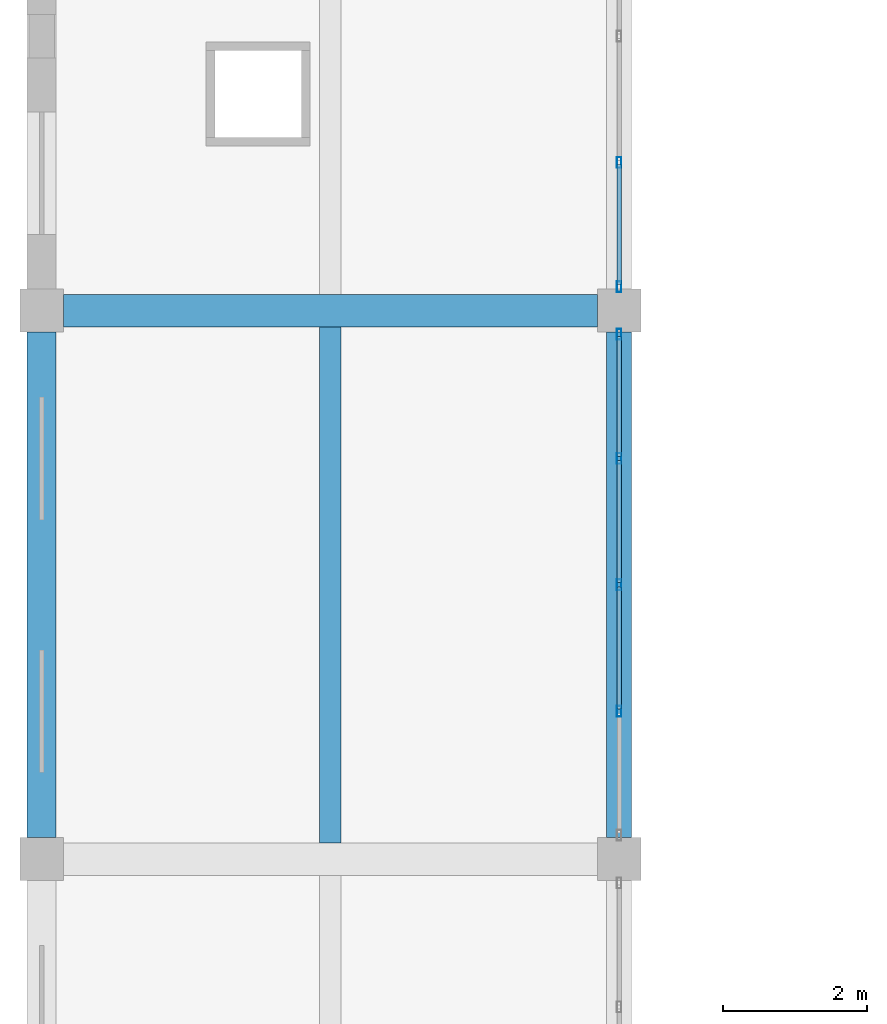
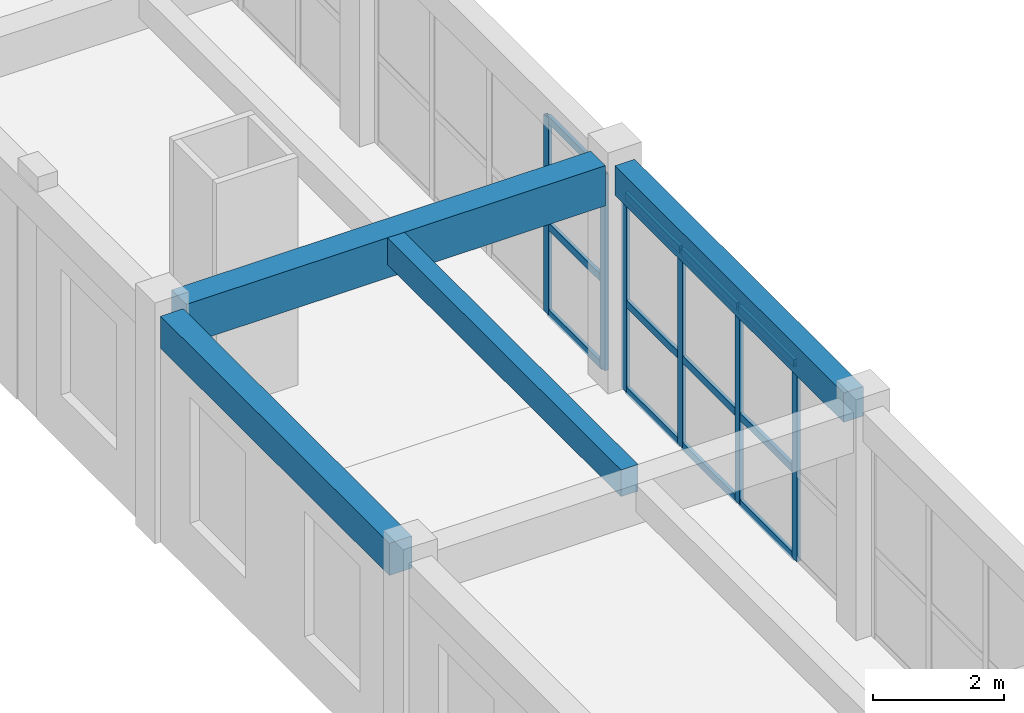
# One storey, part 11 of 79: 18 members, 4 beams, 2 elements without a shape of their own.
"""IFC4 building model written with IfcOpenShell, lengths in metres."""

from ifc_helpers import new_model, si_unit, direction, frame, origin, origin_2d, place, context, subcontext, project, spatial, rectangle, hollow_rectangle, extrude, material, material_profile, profile_set, type_object, element, aggregate, save


model = new_model("IFC4")

# Units and contexts
model_context = context("Model", 3, precision=1e-05, world=origin(), true_north=direction((0.0, 1.0)))
body_context = subcontext(model_context, "Body", "Model", "MODEL_VIEW")
ifc_project = project(units=[si_unit("LENGTHUNIT", "METRE"), si_unit("AREAUNIT", "SQUARE_METRE"), si_unit("VOLUMEUNIT", "CUBIC_METRE"), si_unit("PLANEANGLEUNIT", "RADIAN"), si_unit("MASSUNIT", "GRAM", prefix="KILO")], contexts=[model_context])

# Site, building, storey
site_placement = place(None, origin())
site = spatial("IfcSite", under=ifc_project, at=site_placement, CompositionType="ELEMENT")
building_placement = place(site_placement, origin())
building = spatial("IfcBuilding", under=site, at=building_placement, Name="Zantavel Square City Hall", CompositionType="ELEMENT")
storey_placement = place(building_placement, frame((0.0, 0.0, 10.199951171875)))
storey = spatial("IfcBuildingStorey", under=building, at=storey_placement, Name="L03", CompositionType="ELEMENT", Elevation=10.199951171875)

# Curtain wall, members
ifc_material_1 = material(Name="Anodised aluminium 6063-T6", Category="aluminium")
curtain_wall_type = type_object("IfcCurtainWallType", Name="Curtain Wall CRT 7000x3670", PredefinedType="USERDEFINED", material=ifc_material_1)
curtain_wall_1_placement = place(storey_placement, origin())
curtain_wall_1 = element("IfcCurtainWall", 1, at=curtain_wall_1_placement, inside=storey, type_object=curtain_wall_type, Name="L03 Glazed Curtain Wall CW-L03-099", ObjectType="GLAZED CURTAIN WALL", PredefinedType="USERDEFINED")
ifc_material_profile_1 = material_profile(ifc_material_1, hollow_rectangle(XDim=0.06494140625, YDim=0.14990234375, WallThickness=0.00390625, at=origin_2d()), Name="ALU 65x150x4")
ifc_profile_set_1 = profile_set([ifc_material_profile_1], Name="Anodised aluminium 6063-T6")
member_type_1 = type_object("IfcMemberType", Name="CW Mullion ALU 65x150x4", PredefinedType="MULLION", material=ifc_profile_set_1)
member_1_placement = place(storey_placement, frame((16.0, 52.8701171875, 0.0), z_axis=(0.0, 0.0, 1.0), x_axis=(1.0, 0.0, 0.0)))
member_1 = element("IfcMember", 2, at=member_1_placement, type_object=member_type_1, Name="CW-099 mullion 1", PredefinedType="MULLION", context=body_context, shape_type="SweptSolid", body=[
    extrude(hollow_rectangle(XDim=0.06494140625, YDim=0.14990234375, WallThickness=0.00390625, at=origin_2d()), origin(), (0.0, 0.0, 1.0), 3.670166015625),
])
member_2_placement = place(storey_placement, frame((16.0, 51.14990234375, 0.0), z_axis=(0.0, 0.0, 1.0), x_axis=(1.0, 0.0, 0.0)))
member_2 = element("IfcMember", 3, at=member_2_placement, type_object=member_type_1, Name="CW-099 mullion 2", PredefinedType="MULLION", context=body_context, shape_type="SweptSolid", body=[
    extrude(hollow_rectangle(XDim=0.06494140625, YDim=0.14990234375, WallThickness=0.00390625, at=origin_2d()), origin(), (0.0, 0.0, 1.0), 3.670166015625),
])
member_3_placement = place(storey_placement, frame((16.0, 49.39990234375, 0.0), z_axis=(0.0, 0.0, 1.0), x_axis=(1.0, 0.0, 0.0)))
member_3 = element("IfcMember", 4, at=member_3_placement, type_object=member_type_1, Name="CW-099 mullion 3", PredefinedType="MULLION", context=body_context, shape_type="SweptSolid", body=[
    extrude(hollow_rectangle(XDim=0.06494140625, YDim=0.14990234375, WallThickness=0.00390625, at=origin_2d()), origin(), (0.0, 0.0, 1.0), 3.670166015625),
])
member_4_placement = place(storey_placement, frame((16.0, 47.64990234375, 0.0), z_axis=(0.0, 0.0, 1.0), x_axis=(1.0, 0.0, 0.0)))
member_4 = element("IfcMember", 5, at=member_4_placement, type_object=member_type_1, Name="CW-099 mullion 4", PredefinedType="MULLION", context=body_context, shape_type="SweptSolid", body=[
    extrude(hollow_rectangle(XDim=0.06494140625, YDim=0.14990234375, WallThickness=0.00390625, at=origin_2d()), origin(), (0.0, 0.0, 1.0), 3.670166015625),
])

curtain_wall_2_placement = place(storey_placement, origin())
curtain_wall_2 = element("IfcCurtainWall", 6, at=curtain_wall_2_placement, inside=storey, type_object=curtain_wall_type, Name="L03 Glazed Curtain Wall CW-L03-106", ObjectType="GLAZED CURTAIN WALL", PredefinedType="USERDEFINED")
member_5_placement = place(storey_placement, frame((16.0, 55.25, 0.0), z_axis=(0.0, 0.0, 1.0), x_axis=(1.0, 0.0, 0.0)))
member_5 = element("IfcMember", 7, at=member_5_placement, type_object=member_type_1, Name="CW-106 mullion 4", PredefinedType="MULLION", context=body_context, shape_type="SweptSolid", body=[
    extrude(hollow_rectangle(XDim=0.06494140625, YDim=0.14990234375, WallThickness=0.00390625, at=origin_2d()), origin(), (0.0, 0.0, 1.0), 3.670166015625),
])
member_6_placement = place(storey_placement, frame((16.0, 53.530029296875, 0.0), z_axis=(0.0, 0.0, 1.0), x_axis=(1.0, 0.0, 0.0)))
member_6 = element("IfcMember", 8, at=member_6_placement, type_object=member_type_1, Name="CW-106 mullion 5", PredefinedType="MULLION", context=body_context, shape_type="SweptSolid", body=[
    extrude(hollow_rectangle(XDim=0.06494140625, YDim=0.14990234375, WallThickness=0.00390625, at=origin_2d()), origin(), (0.0, 0.0, 1.0), 3.670166015625),
])

# Member
ifc_material_profile_2 = material_profile(ifc_material_1, hollow_rectangle(XDim=0.06005859375, YDim=0.139892578125, WallThickness=0.00390625, at=origin_2d()), Name="ALU 60x140x4")
ifc_profile_set_2 = profile_set([ifc_material_profile_2], Name="Anodised aluminium 6063-T6")
member_type_2 = type_object("IfcMemberType", Name="CW Transom ALU 60x140x4", PredefinedType="USERDEFINED", material=ifc_profile_set_2)
member_7_placement = place(storey_placement, frame((16.0, 52.840087890625, 0.030029296875), z_axis=(0.0, -1.0, 0.0), x_axis=(1.0, 0.0, 0.0)))
member_7 = element("IfcMember", 9, at=member_7_placement, type_object=member_type_2, Name="CW-099 transom 1.1", ObjectType="TRANSOM", PredefinedType="USERDEFINED", context=body_context, shape_type="SweptSolid", body=[
    extrude(hollow_rectangle(XDim=0.06005859375, YDim=0.139892578125, WallThickness=0.00390625, at=origin_2d()), origin(), (0.0, 0.0, 1.0), 1.66015625),
])

member_8_placement = place(storey_placement, frame((16.0, 52.840087890625, 1.651123046875), z_axis=(0.0, -1.0, 0.0), x_axis=(1.0, 0.0, 0.0)))
member_8 = element("IfcMember", 10, at=member_8_placement, type_object=member_type_2, Name="CW-099 transom 1.2", ObjectType="TRANSOM", PredefinedType="USERDEFINED", context=body_context, shape_type="SweptSolid", body=[
    extrude(hollow_rectangle(XDim=0.06005859375, YDim=0.139892578125, WallThickness=0.00390625, at=origin_2d()), origin(), (0.0, 0.0, 1.0), 1.66015625),
])

member_9_placement = place(storey_placement, frame((16.0, 52.840087890625, 3.64013671875), z_axis=(0.0, -1.0, 0.0), x_axis=(1.0, 0.0, 0.0)))
member_9 = element("IfcMember", 11, at=member_9_placement, type_object=member_type_2, Name="CW-099 transom 1.3", ObjectType="TRANSOM", PredefinedType="USERDEFINED", context=body_context, shape_type="SweptSolid", body=[
    extrude(hollow_rectangle(XDim=0.06005859375, YDim=0.139892578125, WallThickness=0.00390625, at=origin_2d()), origin(), (0.0, 0.0, 1.0), 1.66015625),
])

member_10_placement = place(storey_placement, frame((16.0, 51.1201171875, 0.030029296875), z_axis=(0.0, -1.0, 0.0), x_axis=(1.0, 0.0, 0.0)))
member_10 = element("IfcMember", 12, at=member_10_placement, type_object=member_type_2, Name="CW-099 transom 2.1", ObjectType="TRANSOM", PredefinedType="USERDEFINED", context=body_context, shape_type="SweptSolid", body=[
    extrude(hollow_rectangle(XDim=0.06005859375, YDim=0.139892578125, WallThickness=0.00390625, at=origin_2d()), origin(), (0.0, 0.0, 1.0), 1.690185546875),
])

member_11_placement = place(storey_placement, frame((16.0, 51.1201171875, 1.651123046875), z_axis=(0.0, -1.0, 0.0), x_axis=(1.0, 0.0, 0.0)))
member_11 = element("IfcMember", 13, at=member_11_placement, type_object=member_type_2, Name="CW-099 transom 2.2", ObjectType="TRANSOM", PredefinedType="USERDEFINED", context=body_context, shape_type="SweptSolid", body=[
    extrude(hollow_rectangle(XDim=0.06005859375, YDim=0.139892578125, WallThickness=0.00390625, at=origin_2d()), origin(), (0.0, 0.0, 1.0), 1.690185546875),
])

member_12_placement = place(storey_placement, frame((16.0, 51.1201171875, 3.64013671875), z_axis=(0.0, -1.0, 0.0), x_axis=(1.0, 0.0, 0.0)))
member_12 = element("IfcMember", 14, at=member_12_placement, type_object=member_type_2, Name="CW-099 transom 2.3", ObjectType="TRANSOM", PredefinedType="USERDEFINED", context=body_context, shape_type="SweptSolid", body=[
    extrude(hollow_rectangle(XDim=0.06005859375, YDim=0.139892578125, WallThickness=0.00390625, at=origin_2d()), origin(), (0.0, 0.0, 1.0), 1.690185546875),
])

member_13_placement = place(storey_placement, frame((16.0, 49.3701171875, 0.030029296875), z_axis=(0.0, -1.0, 0.0), x_axis=(1.0, 0.0, 0.0)))
member_13 = element("IfcMember", 15, at=member_13_placement, type_object=member_type_2, Name="CW-099 transom 3.1", ObjectType="TRANSOM", PredefinedType="USERDEFINED", context=body_context, shape_type="SweptSolid", body=[
    extrude(hollow_rectangle(XDim=0.06005859375, YDim=0.139892578125, WallThickness=0.00390625, at=origin_2d()), origin(), (0.0, 0.0, 1.0), 1.690185546875),
])

member_14_placement = place(storey_placement, frame((16.0, 49.3701171875, 1.651123046875), z_axis=(0.0, -1.0, 0.0), x_axis=(1.0, 0.0, 0.0)))
member_14 = element("IfcMember", 16, at=member_14_placement, type_object=member_type_2, Name="CW-099 transom 3.2", ObjectType="TRANSOM", PredefinedType="USERDEFINED", context=body_context, shape_type="SweptSolid", body=[
    extrude(hollow_rectangle(XDim=0.06005859375, YDim=0.139892578125, WallThickness=0.00390625, at=origin_2d()), origin(), (0.0, 0.0, 1.0), 1.690185546875),
])

member_15_placement = place(storey_placement, frame((16.0, 49.3701171875, 3.64013671875), z_axis=(0.0, -1.0, 0.0), x_axis=(1.0, 0.0, 0.0)))
member_15 = element("IfcMember", 17, at=member_15_placement, type_object=member_type_2, Name="CW-099 transom 3.3", ObjectType="TRANSOM", PredefinedType="USERDEFINED", context=body_context, shape_type="SweptSolid", body=[
    extrude(hollow_rectangle(XDim=0.06005859375, YDim=0.139892578125, WallThickness=0.00390625, at=origin_2d()), origin(), (0.0, 0.0, 1.0), 1.690185546875),
])

aggregate(curtain_wall_1, [member_1, member_2, member_3, member_4, member_7, member_8, member_9, member_10, member_11, member_12, member_13, member_14, member_15])

member_16_placement = place(storey_placement, frame((16.0, 55.219970703125, 0.030029296875), z_axis=(0.0, -1.0, 0.0), x_axis=(1.0, 0.0, 0.0)))
member_16 = element("IfcMember", 18, at=member_16_placement, type_object=member_type_2, Name="CW-106 transom 4.1", ObjectType="TRANSOM", PredefinedType="USERDEFINED", context=body_context, shape_type="SweptSolid", body=[
    extrude(hollow_rectangle(XDim=0.06005859375, YDim=0.139892578125, WallThickness=0.00390625, at=origin_2d()), origin(), (0.0, 0.0, 1.0), 1.659912109375),
])

member_17_placement = place(storey_placement, frame((16.0, 55.219970703125, 1.651123046875), z_axis=(0.0, -1.0, 0.0), x_axis=(1.0, 0.0, 0.0)))
member_17 = element("IfcMember", 19, at=member_17_placement, type_object=member_type_2, Name="CW-106 transom 4.2", ObjectType="TRANSOM", PredefinedType="USERDEFINED", context=body_context, shape_type="SweptSolid", body=[
    extrude(hollow_rectangle(XDim=0.06005859375, YDim=0.139892578125, WallThickness=0.00390625, at=origin_2d()), origin(), (0.0, 0.0, 1.0), 1.659912109375),
])

member_18_placement = place(storey_placement, frame((16.0, 55.219970703125, 3.64013671875), z_axis=(0.0, -1.0, 0.0), x_axis=(1.0, 0.0, 0.0)))
member_18 = element("IfcMember", 20, at=member_18_placement, type_object=member_type_2, Name="CW-106 transom 4.3", ObjectType="TRANSOM", PredefinedType="USERDEFINED", context=body_context, shape_type="SweptSolid", body=[
    extrude(hollow_rectangle(XDim=0.06005859375, YDim=0.139892578125, WallThickness=0.00390625, at=origin_2d()), origin(), (0.0, 0.0, 1.0), 1.659912109375),
])

aggregate(curtain_wall_2, [member_5, member_6, member_16, member_17, member_18])

# Beams
ifc_material_2 = material(Name="Concrete C35/45", Category="concrete")
ifc_material_profile_3 = material_profile(ifc_material_2, rectangle(XDim=0.300048828125, YDim=0.5, at=origin_2d()), Name="RC 300x500")
ifc_profile_set_3 = profile_set([ifc_material_profile_3], Name="Concrete C35/45")
beam_type_1 = type_object("IfcBeamType", Name="Floor Joist RC 300x500 C35/45", PredefinedType="JOIST", material=ifc_profile_set_3)
beam_1_placement = place(storey_placement, frame((12.0, 45.824951171875, 3.969970703125), z_axis=(0.0, 1.0, 0.0), x_axis=(-1.0, 0.0, 0.0)))
element("IfcBeam", 21, at=beam_1_placement, inside=storey, type_object=beam_type_1, Name="L03 Floor Joist JST-L03-0120-0456", PredefinedType="JOIST", context=body_context, shape_type="SweptSolid", body=[
    extrude(rectangle(XDim=0.300048828125, YDim=0.5, at=origin_2d()), origin(), (0.0, 0.0, 1.0), 7.150146484375),
])
ifc_material_profile_4 = material_profile(ifc_material_2, rectangle(XDim=0.39990234375, YDim=0.60009765625, at=origin_2d()), Name="RC 400x600")
ifc_profile_set_4 = profile_set([ifc_material_profile_4], Name="Concrete C35/45")
beam_type_2 = type_object("IfcBeamType", Name="Perimeter Spandrel RC 400x600 C35/45", PredefinedType="SPANDREL", material=ifc_profile_set_4)
beam_2_placement = place(storey_placement, frame((8.0, 45.89990234375, 3.920166015625), z_axis=(0.0, 1.0, 0.0), x_axis=(-1.0, 0.0, 0.0)))
element("IfcBeam", 22, at=beam_2_placement, inside=storey, type_object=beam_type_2, Name="L03 Beam BMY-L03-0080-0456", PredefinedType="SPANDREL", context=body_context, shape_type="SweptSolid", body=[
    extrude(rectangle(XDim=0.39990234375, YDim=0.60009765625, at=origin_2d()), origin(), (0.0, 0.0, 1.0), 7.0),
])
ifc_material_profile_5 = material_profile(ifc_material_2, rectangle(XDim=0.449951171875, YDim=0.75, at=origin_2d()), Name="RC 450x750")
ifc_profile_set_5 = profile_set([ifc_material_profile_5], Name="Concrete C35/45")
beam_type_3 = type_object("IfcBeamType", Name="Primary Girder RC 450x750 C35/45", PredefinedType="BEAM", material=ifc_profile_set_5)
beam_3_placement = place(storey_placement, frame((8.300048828125, 53.199951171875, 3.844970703125), z_axis=(1.0, 0.0, 0.0), x_axis=(0.0, 1.0, 0.0)))
element("IfcBeam", 23, at=beam_3_placement, inside=storey, type_object=beam_type_3, Name="L03 Girder BMX-L03-0080-0532", PredefinedType="BEAM", context=body_context, shape_type="SweptSolid", body=[
    extrude(rectangle(XDim=0.449951171875, YDim=0.75, at=origin_2d()), origin(), (0.0, 0.0, 1.0), 7.39990234375),
])
ifc_material_profile_6 = material_profile(ifc_material_2, rectangle(XDim=0.35009765625, YDim=0.550048828125, at=origin_2d()), Name="RC 350x550")
ifc_profile_set_6 = profile_set([ifc_material_profile_6], Name="Concrete C35/45")
beam_type_4 = type_object("IfcBeamType", Name="Secondary Beam RC 350x550 C35/45", PredefinedType="BEAM", material=ifc_profile_set_6)
beam_4_placement = place(storey_placement, frame((16.0, 45.89990234375, 3.945068359375), z_axis=(0.0, 1.0, 0.0), x_axis=(-1.0, 0.0, 0.0)))
element("IfcBeam", 24, at=beam_4_placement, inside=storey, type_object=beam_type_4, Name="L03 Beam BMY-L03-0160-0456", PredefinedType="BEAM", context=body_context, shape_type="SweptSolid", body=[
    extrude(rectangle(XDim=0.35009765625, YDim=0.550048828125, at=origin_2d()), origin(), (0.0, 0.0, 1.0), 7.0),
])

save(model, "model.ifc")
